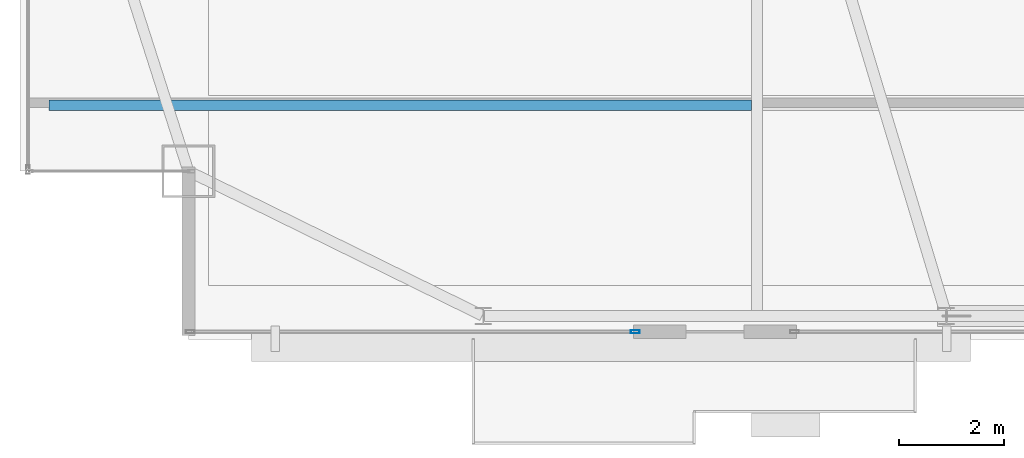
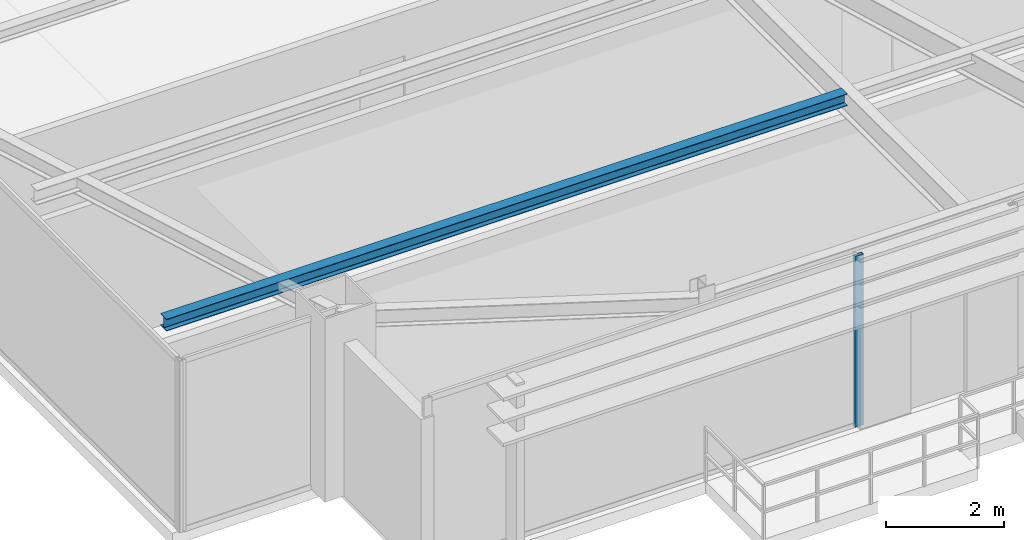
# One storey, part 4 of 25: 1 beam, 1 member, 1 element without a shape of its own.
"""IFC4 building model written with IfcOpenShell, lengths in metres."""

import ifcopenshell
import ifcopenshell.guid

model = None  # the IFC model being written
_history = None  # IfcOwnerHistory: only IFC2X3 demands one
_inside = {}  # id of a spatial element -> (the spatial element, [elements in it])
_under = {}  # id of a project, library or spatial element -> (it, [spatial elements below it])
_declared = {}  # id of a project -> (the project, [libraries it declares])
_typed = {}  # id of a type object -> (the type object, [elements of that type])
_made_of = {}  # id of a material, layer set ... -> (it, [elements and type objects made of it])


def new_model(schema):
    """Start an empty IFC model of exactly this schema.

    Asked for "IFC4X3", IfcOpenShell would pick the latest addendum, in which some entities
    have other attributes; the version numbers below select the first issue.
    IFC2X3 requires an IfcOwnerHistory on every rooted entity: one is made here for all.
    """
    global model, _history
    if schema == "IFC4X3":
        model = ifcopenshell.file(schema_version=(4, 3, 0, 0))
    else:
        model = ifcopenshell.file(schema=schema)
    _inside.clear()
    _under.clear()
    _declared.clear()
    _typed.clear()
    _made_of.clear()
    _history = None
    if model.schema == "IFC2X3":
        org = make("IfcOrganization", Name="unknown")
        user = make(
            "IfcPersonAndOrganization",
            ThePerson=make("IfcPerson", FamilyName="unknown"),
            TheOrganization=org,
        )
        app = make(
            "IfcApplication",
            ApplicationDeveloper=org,
            Version="unknown",
            ApplicationFullName="unknown",
            ApplicationIdentifier="unknown",
        )
        _history = make(
            "IfcOwnerHistory",
            OwningUser=user,
            OwningApplication=app,
            ChangeAction="ADDED",
            CreationDate=0,
        )
    return model


def make(cls, **values):
    """One entity of the class cls with the attributes given. An attribute that is None is left unset."""
    return model.create_entity(
        cls, **{name: value for name, value in values.items() if value is not None}
    )


def rooted(cls, **values):
    """An entity with a GlobalId (a new one), such as an element, a storey or a relation."""
    return make(cls, GlobalId=ifcopenshell.guid.new(), OwnerHistory=_history, **values)


def si_unit(unit_type, name, prefix=None):
    """IfcSIUnit, for example si_unit("LENGTHUNIT", "METRE", prefix="MILLI")."""
    return make("IfcSIUnit", UnitType=unit_type, Prefix=prefix, Name=name)


def assignment(units):
    """IfcUnitAssignment: the units of a project."""
    return None if units is None else make("IfcUnitAssignment", Units=units)


def point(xyz):
    """IfcCartesianPoint."""
    return None if xyz is None else make("IfcCartesianPoint", Coordinates=xyz)


def direction(xyz):
    """IfcDirection."""
    return None if xyz is None else make("IfcDirection", DirectionRatios=xyz)


def frame(location, z_axis=None, x_axis=None):
    """IfcAxis2Placement3D, a coordinate frame: its origin and axes. An axis left out is left unset."""
    return make(
        "IfcAxis2Placement3D",
        Location=point(location),
        Axis=direction(z_axis),
        RefDirection=direction(x_axis),
    )


def frame_2d(location, x_axis=None):
    """IfcAxis2Placement2D, a coordinate frame in the plane: its origin and x axis."""
    return make(
        "IfcAxis2Placement2D", Location=point(location), RefDirection=direction(x_axis)
    )


def origin():
    """The frame at (0, 0, 0) with its axes left unset."""
    return frame((0.0, 0.0, 0.0))


def origin_2d():
    """The frame at (0, 0) in the plane with its x axis left unset."""
    return frame_2d((0.0, 0.0))


def place(relative_to, where):
    """IfcLocalPlacement: puts the frame where relative to a parent placement (None: the world)."""
    return make(
        "IfcLocalPlacement", PlacementRelTo=relative_to, RelativePlacement=where
    )


def context(
    kind, dimensions, precision=None, world=None, true_north=None, identifier=None
):
    """IfcGeometricRepresentationContext, for example the 3D "Model" context."""
    return make(
        "IfcGeometricRepresentationContext",
        ContextIdentifier=identifier,
        ContextType=kind,
        CoordinateSpaceDimension=dimensions,
        Precision=precision,
        WorldCoordinateSystem=world,
        TrueNorth=true_north,
    )


def subcontext(parent, identifier, kind, view, scale=None):
    """IfcGeometricRepresentationSubContext, for example "Body" below "Model"."""
    return make(
        "IfcGeometricRepresentationSubContext",
        ContextIdentifier=identifier,
        ContextType=kind,
        ParentContext=parent,
        TargetScale=scale,
        TargetView=view,
    )


def project(units=None, contexts=None):
    """IfcProject with its units and contexts."""
    return rooted(
        "IfcProject",
        Name="project",
        RepresentationContexts=contexts,
        UnitsInContext=assignment(units),
    )


def spatial(cls, under=None, at=None, **own):
    """A site, building, storey or space (cls), placed at a placement, below another one or the project."""
    s = rooted(cls, ObjectPlacement=at, **own)
    if under is not None:
        _under.setdefault(under.id(), (under, []))[1].append(s)
    return s


def profile(cls, at=None, kind="AREA", **sizes):
    """A parametric profile (cls). Its sizes go by their IFC names, for example OverallWidth=200.0."""
    return make(cls, ProfileType=kind, Position=at, **sizes)


def hollow_rectangle(**sizes):
    """IfcRectangleHollowProfileDef."""
    return profile("IfcRectangleHollowProfileDef", **sizes)


def i_section(**sizes):
    """IfcIShapeProfileDef."""
    return profile("IfcIShapeProfileDef", **sizes)


def extrude(swept, where, along, depth):
    """IfcExtrudedAreaSolid: the profile swept, set in the frame where, extruded along a direction by depth."""
    return make(
        "IfcExtrudedAreaSolid",
        SweptArea=swept,
        Position=where,
        ExtrudedDirection=direction(along),
        Depth=depth,
    )


def shape(context_of_items, identifier, shape_type, items):
    """IfcShapeRepresentation: the items that make up one representation, for example the "Body"."""
    return make(
        "IfcShapeRepresentation",
        ContextOfItems=context_of_items,
        RepresentationIdentifier=identifier,
        RepresentationType=shape_type,
        Items=items,
    )


def source(mapping_origin, context_of_items, identifier, shape_type, items):
    """IfcRepresentationMap: a shape defined once, which mapped items show again and again."""
    return make(
        "IfcRepresentationMap",
        MappingOrigin=mapping_origin,
        MappedRepresentation=shape(context_of_items, identifier, shape_type, items),
    )


def transform(
    local_origin,
    x_axis=None,
    y_axis=None,
    z_axis=None,
    scale=None,
    scale2=None,
    scale3=None,
    uniform=True,
):
    """IfcCartesianTransformationOperator3D, or its non-uniform kind. x_axis, y_axis, z_axis: its Axis1, 2, 3."""
    if uniform:
        return make(
            "IfcCartesianTransformationOperator3D",
            Axis1=direction(x_axis),
            Axis2=direction(y_axis),
            LocalOrigin=point(local_origin),
            Scale=scale,
            Axis3=direction(z_axis),
        )
    return make(
        "IfcCartesianTransformationOperator3DnonUniform",
        Axis1=direction(x_axis),
        Axis2=direction(y_axis),
        LocalOrigin=point(local_origin),
        Scale=scale,
        Axis3=direction(z_axis),
        Scale2=scale2,
        Scale3=scale3,
    )


def mapped(mapping_source, mapping_target):
    """IfcMappedItem: shows the shape of a source again, moved by a transform."""
    return make(
        "IfcMappedItem", MappingSource=mapping_source, MappingTarget=mapping_target
    )


def material(Name=None, Category=None):
    """IfcMaterial."""
    return make("IfcMaterial", Name=Name, Category=Category)


def layer(
    of_material, thickness, ventilated=None, Name=None, Category=None, Priority=None
):
    """IfcMaterialLayer: one layer of a wall or slab, of a material (None: an air gap)."""
    return make(
        "IfcMaterialLayer",
        Material=of_material,
        LayerThickness=thickness,
        IsVentilated=ventilated,
        Name=Name,
        Category=Category,
        Priority=Priority,
    )


def layer_set(layers, Name=None):
    """IfcMaterialLayerSet."""
    return make("IfcMaterialLayerSet", MaterialLayers=layers, LayerSetName=Name)


def material_profile(
    of_material, cross_section, Name=None, Category=None, Priority=None
):
    """IfcMaterialProfile: a cross section and its material."""
    return make(
        "IfcMaterialProfile",
        Name=Name,
        Material=of_material,
        Profile=cross_section,
        Priority=Priority,
        Category=Category,
    )


def profile_set(profiles, Name=None, composite=None):
    """IfcMaterialProfileSet."""
    return make(
        "IfcMaterialProfileSet",
        Name=Name,
        MaterialProfiles=profiles,
        CompositeProfile=composite,
    )


def made_of(thing, what):
    """Note that an element or type object is made of a material, layer set ...; save() writes the relation."""
    if what is not None:
        _made_of.setdefault(what.id(), (what, []))[1].append(thing)
    return thing


def type_object(cls, material=None, **own):
    """A type object (cls), such as IfcWallType, which elements share."""
    return made_of(rooted(cls, **own), material)


def type_shapes(of_type, sources):
    """Give a type object the sources (RepresentationMaps) that its elements show as mapped items."""
    of_type.RepresentationMaps = sources


def element(
    cls,
    number,
    at=None,
    inside=None,
    cuts=None,
    type_object=None,
    material=None,
    context=None,
    identifier="Body",
    shape_type=None,
    held_by="IfcProductDefinitionShape",
    body=None,
    shapes=None,
    **own,
):
    """One element of the class cls, such as IfcWall. Its Tag is "e" and its number.

    at: its placement. inside: the storey or other place that contains it. cuts: it is an
    opening in that element (IfcRelVoidsElement). A single representation is given by context,
    identifier, shape_type and body (its items); several are given by shapes. held_by: the class
    of the entity that holds the representations. save() writes the other relations.
    """
    e = rooted(cls, Tag="e%d" % number, ObjectPlacement=at, **own)
    if body is not None:
        shapes = [shape(context, identifier, shape_type, body)]
    if shapes is not None:
        e.Representation = make(held_by, Representations=shapes)
    if inside is not None:
        _inside.setdefault(inside.id(), (inside, []))[1].append(e)
    if cuts is not None:
        rooted(
            "IfcRelVoidsElement", RelatingBuildingElement=cuts, RelatedOpeningElement=e
        )
    if type_object is not None:
        _typed.setdefault(type_object.id(), (type_object, []))[1].append(e)
    return made_of(e, material)


def aggregate(whole, parts):
    """IfcRelAggregates: a whole, such as a stair, and the parts it consists of."""
    return rooted("IfcRelAggregates", RelatingObject=whole, RelatedObjects=parts)


def save(model, path):
    """Write the relations noted so far, then the file.

    IfcRelAggregates (storeys below a building ...), IfcRelContainedInSpatialStructure (elements
    in a storey), IfcRelDefinesByType, IfcRelAssociatesMaterial and IfcRelDeclares: one each for
    every whole, place, type object, material and project.
    """
    for whole, parts in _under.values():
        aggregate(whole, parts)
    for where, things in _inside.values():
        rooted(
            "IfcRelContainedInSpatialStructure",
            RelatedElements=things,
            RelatingStructure=where,
        )
    for kind, things in _typed.values():
        rooted("IfcRelDefinesByType", RelatedObjects=things, RelatingType=kind)
    for what, things in _made_of.values():
        rooted("IfcRelAssociatesMaterial", RelatedObjects=things, RelatingMaterial=what)
    for by, libraries in _declared.values():
        rooted("IfcRelDeclares", RelatingContext=by, RelatedDefinitions=libraries)
    model.write(path)


model = new_model("IFC4")

# Units and contexts
model_context = context("Model", 3, precision=1e-05, world=origin(), true_north=direction((0.0, 1.0)))
body_context = subcontext(model_context, "Body", "Model", "MODEL_VIEW")
ifc_project = project(units=[si_unit("LENGTHUNIT", "METRE"), si_unit("AREAUNIT", "SQUARE_METRE"), si_unit("VOLUMEUNIT", "CUBIC_METRE"), si_unit("PLANEANGLEUNIT", "RADIAN"), si_unit("MASSUNIT", "GRAM", prefix="KILO")], contexts=[model_context])

# Site, building, storey
site_placement = place(None, origin())
site = spatial("IfcSite", under=ifc_project, at=site_placement, CompositionType="ELEMENT")
building_placement = place(site_placement, origin())
building = spatial("IfcBuilding", under=site, at=building_placement, Name="Varnel Quay Broadcast Tower", CompositionType="ELEMENT")
storey_placement = place(building_placement, frame((0.0, 0.0, 273.60009765625)))
storey = spatial("IfcBuildingStorey", under=building, at=storey_placement, Name="L68", CompositionType="ELEMENT", Elevation=273.60009765625)

# Beam
ifc_material_1 = material(Name="Structural Steel CSA G40.21 350W", Category="steel")
ifc_material_profile_1 = material_profile(ifc_material_1, i_section(OverallWidth=0.201904296875, OverallDepth=0.2470703125, WebThickness=0.00732421875, FlangeThickness=0.010986328125, FilletRadius=0.010986328125, at=origin_2d()), Name="W250X49")
ifc_profile_set_1 = profile_set([ifc_material_profile_1], Name="Structural Steel CSA G40.21 350W")
beam_type = type_object("IfcBeamType", Name="Beam_W250X49", PredefinedType="JOIST", material=ifc_profile_set_1)
shared_shape_1 = source(origin(), body_context, "Body", "SweptSolid", [
    extrude(i_section(OverallWidth=0.201904296875, OverallDepth=0.2470703125, WebThickness=0.00732421875, FlangeThickness=0.010986328125, FilletRadius=0.010986328125, at=origin_2d()), origin(), (0.0, 0.0, 1.0), 13.351318359375),
])
type_shapes(beam_type, [shared_shape_1])
beam_placement = place(storey_placement, frame((12.547607421875, 17.64990234375, 3.426513671875), z_axis=(1.0, 0.0, 0.0), x_axis=(0.0, 1.0, 0.0)))
element("IfcBeam", 1, at=beam_placement, inside=storey, type_object=beam_type, Name="L68 West Floor Joist 1", PredefinedType="JOIST", context=body_context, shape_type="MappedRepresentation", body=[
    mapped(shared_shape_1, transform((0.0, 0.0, 0.0), x_axis=(1.0, 0.0, 0.0), y_axis=(0.0, 1.0, 0.0), z_axis=(0.0, 0.0, 1.0), scale=1.0)),
])

# Curtain wall, member
ifc_material_2 = material(Name="Anodised Bronze Aluminium 6063-T6", Category="aluminium")
ifc_layer = layer(ifc_material_2, 0.18994140625, Name="Anodised Bronze Aluminium 6063-T6")
ifc_layer_set = layer_set([ifc_layer], Name="Anodised Bronze Aluminium 6063-T6")
curtain_wall_type = type_object("IfcCurtainWallType", Name="CW_UpperTower", PredefinedType="NOTDEFINED", material=ifc_layer_set)
curtain_wall_placement = place(storey_placement, origin())
curtain_wall = element("IfcCurtainWall", 2, at=curtain_wall_placement, inside=storey, type_object=curtain_wall_type, Name="L68 South Unitised Curtain Wall 1", PredefinedType="NOTDEFINED")
ifc_material_profile_2 = material_profile(ifc_material_2, hollow_rectangle(XDim=0.06494140625, YDim=0.1650390625, WallThickness=0.00341796875, at=origin_2d()), Name="ALU65X165X3.5")
ifc_profile_set_2 = profile_set([ifc_material_profile_2], Name="Anodised Bronze Aluminium 6063-T6")
member_type = type_object("IfcMemberType", Name="Mull_CWS-03", PredefinedType="MULLION", material=ifc_profile_set_2)
shared_shape_2 = source(origin(), body_context, "Body", "SweptSolid", [
    extrude(hollow_rectangle(XDim=0.06494140625, YDim=0.1650390625, WallThickness=0.00341796875, at=origin_2d()), origin(), (0.0, 0.0, 1.0), 3.5498046875),
])
type_shapes(member_type, [shared_shape_2])
member_placement = place(storey_placement, frame((23.6875, 13.35009765625, 0.0), z_axis=(0.0, 0.0, 1.0), x_axis=(0.0, 1.0, 0.0)))
member = element("IfcMember", 3, at=member_placement, type_object=member_type, Name="CWS-03 mullion 2", PredefinedType="MULLION", context=body_context, shape_type="MappedRepresentation", body=[
    mapped(shared_shape_2, transform((0.0, 0.0, 0.0), x_axis=(1.0, 0.0, 0.0), y_axis=(0.0, 1.0, 0.0), z_axis=(0.0, 0.0, 1.0), scale=1.0)),
])
aggregate(curtain_wall, [member])

save(model, "model.ifc")
